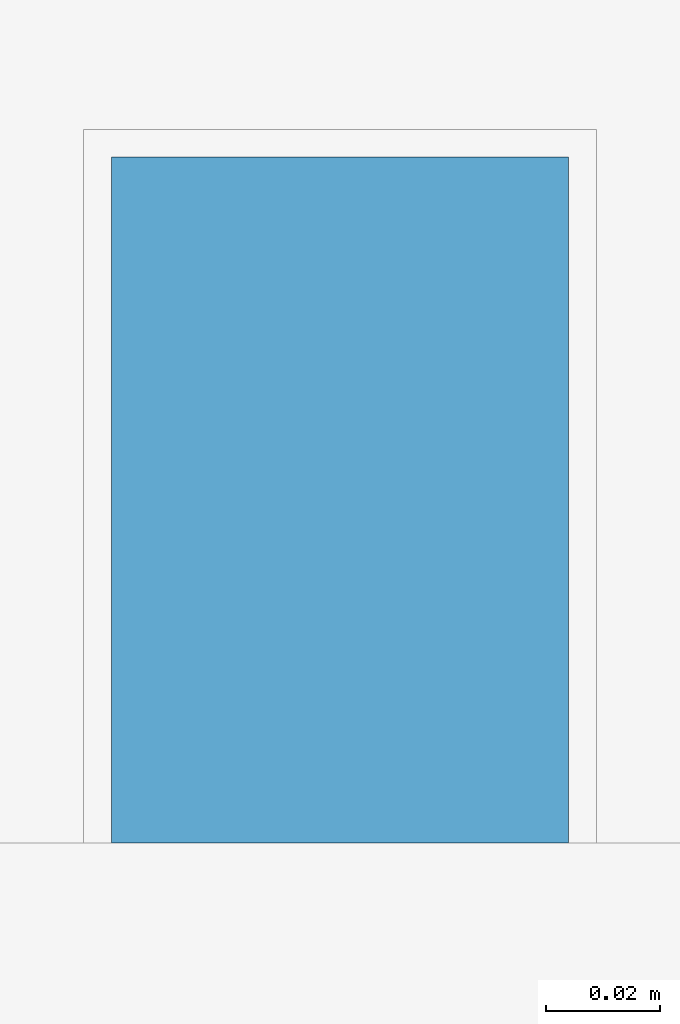
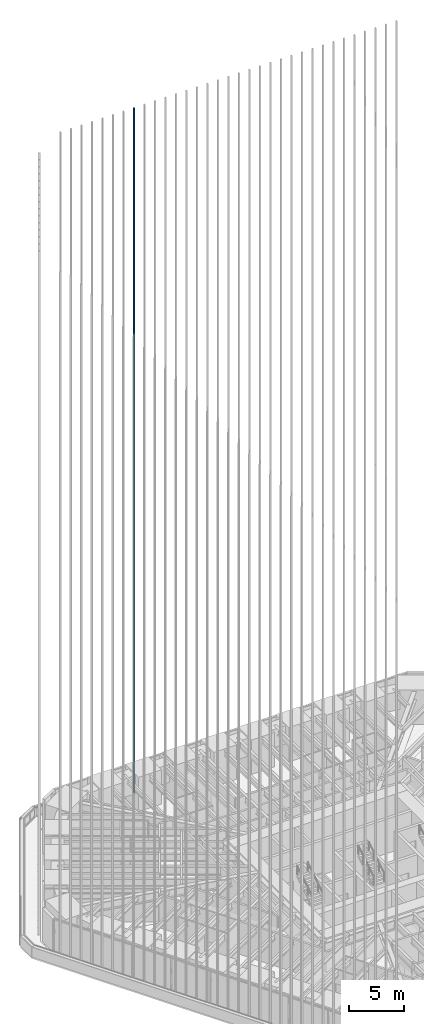
# One storey, part 160 of 238: 1 member, 1 element without a shape of its own.
"""IFC4 building model written with IfcOpenShell, lengths in metres."""

import ifcopenshell
import ifcopenshell.guid

model = None  # the IFC model being written
_history = None  # IfcOwnerHistory: only IFC2X3 demands one
_inside = {}  # id of a spatial element -> (the spatial element, [elements in it])
_under = {}  # id of a project, library or spatial element -> (it, [spatial elements below it])
_declared = {}  # id of a project -> (the project, [libraries it declares])
_typed = {}  # id of a type object -> (the type object, [elements of that type])
_made_of = {}  # id of a material, layer set ... -> (it, [elements and type objects made of it])


def new_model(schema):
    """Start an empty IFC model of exactly this schema.

    Asked for "IFC4X3", IfcOpenShell would pick the latest addendum, in which some entities
    have other attributes; the version numbers below select the first issue.
    IFC2X3 requires an IfcOwnerHistory on every rooted entity: one is made here for all.
    """
    global model, _history
    if schema == "IFC4X3":
        model = ifcopenshell.file(schema_version=(4, 3, 0, 0))
    else:
        model = ifcopenshell.file(schema=schema)
    _inside.clear()
    _under.clear()
    _declared.clear()
    _typed.clear()
    _made_of.clear()
    _history = None
    if model.schema == "IFC2X3":
        org = make("IfcOrganization", Name="unknown")
        user = make(
            "IfcPersonAndOrganization",
            ThePerson=make("IfcPerson", FamilyName="unknown"),
            TheOrganization=org,
        )
        app = make(
            "IfcApplication",
            ApplicationDeveloper=org,
            Version="unknown",
            ApplicationFullName="unknown",
            ApplicationIdentifier="unknown",
        )
        _history = make(
            "IfcOwnerHistory",
            OwningUser=user,
            OwningApplication=app,
            ChangeAction="ADDED",
            CreationDate=0,
        )
    return model


def make(cls, **values):
    """One entity of the class cls with the attributes given. An attribute that is None is left unset."""
    return model.create_entity(
        cls, **{name: value for name, value in values.items() if value is not None}
    )


def rooted(cls, **values):
    """An entity with a GlobalId (a new one), such as an element, a storey or a relation."""
    return make(cls, GlobalId=ifcopenshell.guid.new(), OwnerHistory=_history, **values)


def si_unit(unit_type, name, prefix=None):
    """IfcSIUnit, for example si_unit("LENGTHUNIT", "METRE", prefix="MILLI")."""
    return make("IfcSIUnit", UnitType=unit_type, Prefix=prefix, Name=name)


def assignment(units):
    """IfcUnitAssignment: the units of a project."""
    return None if units is None else make("IfcUnitAssignment", Units=units)


def point(xyz):
    """IfcCartesianPoint."""
    return None if xyz is None else make("IfcCartesianPoint", Coordinates=xyz)


def direction(xyz):
    """IfcDirection."""
    return None if xyz is None else make("IfcDirection", DirectionRatios=xyz)


def frame(location, z_axis=None, x_axis=None):
    """IfcAxis2Placement3D, a coordinate frame: its origin and axes. An axis left out is left unset."""
    return make(
        "IfcAxis2Placement3D",
        Location=point(location),
        Axis=direction(z_axis),
        RefDirection=direction(x_axis),
    )


def frame_2d(location, x_axis=None):
    """IfcAxis2Placement2D, a coordinate frame in the plane: its origin and x axis."""
    return make(
        "IfcAxis2Placement2D", Location=point(location), RefDirection=direction(x_axis)
    )


def origin():
    """The frame at (0, 0, 0) with its axes left unset."""
    return frame((0.0, 0.0, 0.0))


def origin_2d():
    """The frame at (0, 0) in the plane with its x axis left unset."""
    return frame_2d((0.0, 0.0))


def place(relative_to, where):
    """IfcLocalPlacement: puts the frame where relative to a parent placement (None: the world)."""
    return make(
        "IfcLocalPlacement", PlacementRelTo=relative_to, RelativePlacement=where
    )


def context(
    kind, dimensions, precision=None, world=None, true_north=None, identifier=None
):
    """IfcGeometricRepresentationContext, for example the 3D "Model" context."""
    return make(
        "IfcGeometricRepresentationContext",
        ContextIdentifier=identifier,
        ContextType=kind,
        CoordinateSpaceDimension=dimensions,
        Precision=precision,
        WorldCoordinateSystem=world,
        TrueNorth=true_north,
    )


def subcontext(parent, identifier, kind, view, scale=None):
    """IfcGeometricRepresentationSubContext, for example "Body" below "Model"."""
    return make(
        "IfcGeometricRepresentationSubContext",
        ContextIdentifier=identifier,
        ContextType=kind,
        ParentContext=parent,
        TargetScale=scale,
        TargetView=view,
    )


def project(units=None, contexts=None):
    """IfcProject with its units and contexts."""
    return rooted(
        "IfcProject",
        Name="project",
        RepresentationContexts=contexts,
        UnitsInContext=assignment(units),
    )


def spatial(cls, under=None, at=None, **own):
    """A site, building, storey or space (cls), placed at a placement, below another one or the project."""
    s = rooted(cls, ObjectPlacement=at, **own)
    if under is not None:
        _under.setdefault(under.id(), (under, []))[1].append(s)
    return s


def profile(cls, at=None, kind="AREA", **sizes):
    """A parametric profile (cls). Its sizes go by their IFC names, for example OverallWidth=200.0."""
    return make(cls, ProfileType=kind, Position=at, **sizes)


def rectangle(**sizes):
    """IfcRectangleProfileDef."""
    return profile("IfcRectangleProfileDef", **sizes)


def extrude(swept, where, along, depth):
    """IfcExtrudedAreaSolid: the profile swept, set in the frame where, extruded along a direction by depth."""
    return make(
        "IfcExtrudedAreaSolid",
        SweptArea=swept,
        Position=where,
        ExtrudedDirection=direction(along),
        Depth=depth,
    )


def shape(context_of_items, identifier, shape_type, items):
    """IfcShapeRepresentation: the items that make up one representation, for example the "Body"."""
    return make(
        "IfcShapeRepresentation",
        ContextOfItems=context_of_items,
        RepresentationIdentifier=identifier,
        RepresentationType=shape_type,
        Items=items,
    )


def material(Name=None, Category=None):
    """IfcMaterial."""
    return make("IfcMaterial", Name=Name, Category=Category)


def material_profile(
    of_material, cross_section, Name=None, Category=None, Priority=None
):
    """IfcMaterialProfile: a cross section and its material."""
    return make(
        "IfcMaterialProfile",
        Name=Name,
        Material=of_material,
        Profile=cross_section,
        Priority=Priority,
        Category=Category,
    )


def profile_set(profiles, Name=None, composite=None):
    """IfcMaterialProfileSet."""
    return make(
        "IfcMaterialProfileSet",
        Name=Name,
        MaterialProfiles=profiles,
        CompositeProfile=composite,
    )


def made_of(thing, what):
    """Note that an element or type object is made of a material, layer set ...; save() writes the relation."""
    if what is not None:
        _made_of.setdefault(what.id(), (what, []))[1].append(thing)
    return thing


def type_object(cls, material=None, **own):
    """A type object (cls), such as IfcWallType, which elements share."""
    return made_of(rooted(cls, **own), material)


def element(
    cls,
    number,
    at=None,
    inside=None,
    cuts=None,
    type_object=None,
    material=None,
    context=None,
    identifier="Body",
    shape_type=None,
    held_by="IfcProductDefinitionShape",
    body=None,
    shapes=None,
    **own,
):
    """One element of the class cls, such as IfcWall. Its Tag is "e" and its number.

    at: its placement. inside: the storey or other place that contains it. cuts: it is an
    opening in that element (IfcRelVoidsElement). A single representation is given by context,
    identifier, shape_type and body (its items); several are given by shapes. held_by: the class
    of the entity that holds the representations. save() writes the other relations.
    """
    e = rooted(cls, Tag="e%d" % number, ObjectPlacement=at, **own)
    if body is not None:
        shapes = [shape(context, identifier, shape_type, body)]
    if shapes is not None:
        e.Representation = make(held_by, Representations=shapes)
    if inside is not None:
        _inside.setdefault(inside.id(), (inside, []))[1].append(e)
    if cuts is not None:
        rooted(
            "IfcRelVoidsElement", RelatingBuildingElement=cuts, RelatedOpeningElement=e
        )
    if type_object is not None:
        _typed.setdefault(type_object.id(), (type_object, []))[1].append(e)
    return made_of(e, material)


def aggregate(whole, parts):
    """IfcRelAggregates: a whole, such as a stair, and the parts it consists of."""
    return rooted("IfcRelAggregates", RelatingObject=whole, RelatedObjects=parts)


def save(model, path):
    """Write the relations noted so far, then the file.

    IfcRelAggregates (storeys below a building ...), IfcRelContainedInSpatialStructure (elements
    in a storey), IfcRelDefinesByType, IfcRelAssociatesMaterial and IfcRelDeclares: one each for
    every whole, place, type object, material and project.
    """
    for whole, parts in _under.values():
        aggregate(whole, parts)
    for where, things in _inside.values():
        rooted(
            "IfcRelContainedInSpatialStructure",
            RelatedElements=things,
            RelatingStructure=where,
        )
    for kind, things in _typed.values():
        rooted("IfcRelDefinesByType", RelatedObjects=things, RelatingType=kind)
    for what, things in _made_of.values():
        rooted("IfcRelAssociatesMaterial", RelatedObjects=things, RelatingMaterial=what)
    for by, libraries in _declared.values():
        rooted("IfcRelDeclares", RelatingContext=by, RelatedDefinitions=libraries)
    model.write(path)


model = new_model("IFC4")

# Units and contexts
model_context = context("Model", 3, precision=1e-05, world=origin(), true_north=direction((0.0, 1.0)))
body_context = subcontext(model_context, "Body", "Model", "MODEL_VIEW")
ifc_project = project(units=[si_unit("LENGTHUNIT", "METRE"), si_unit("AREAUNIT", "SQUARE_METRE"), si_unit("VOLUMEUNIT", "CUBIC_METRE"), si_unit("PLANEANGLEUNIT", "RADIAN"), si_unit("MASSUNIT", "GRAM", prefix="KILO")], contexts=[model_context])

# Site, building, storey
site_placement = place(None, origin())
site = spatial("IfcSite", under=ifc_project, at=site_placement, CompositionType="ELEMENT")
building_placement = place(site_placement, origin())
building = spatial("IfcBuilding", under=site, at=building_placement, Name="Sandreach Pilgrim Tower", CompositionType="ELEMENT")
storey_placement = place(building_placement, frame((0.0, 0.0, 96.800048828125)))
storey = spatial("IfcBuildingStorey", under=building, at=storey_placement, Name="L23", CompositionType="ELEMENT", Elevation=96.800048828125)

# Curtain wall, member
ifc_material_1 = material(Name="Aluminium framed curtain wall", Category="aluminium")
curtain_wall_type = type_object("IfcCurtainWallType", Name="Hotel tower curtain wall", PredefinedType="NOTDEFINED", material=ifc_material_1)
curtain_wall_placement = place(storey_placement, origin())
curtain_wall = element("IfcCurtainWall", 1, at=curtain_wall_placement, inside=storey, type_object=curtain_wall_type, Name="CW-2 L23 N", PredefinedType="NOTDEFINED")
ifc_material_2 = material(Name="Extruded terracotta on aluminium core", Category="masonry")
ifc_material_profile = material_profile(ifc_material_2, rectangle(XDim=0.080078125, YDim=0.1201171875, at=origin_2d()), Name="TBN 80X120")
ifc_profile_set = profile_set([ifc_material_profile], Name="Extruded terracotta on aluminium core")
member_type = type_object("IfcMemberType", Name="Terracotta baguette north", PredefinedType="USERDEFINED", material=ifc_profile_set)
member_placement = place(storey_placement, frame((-9.894287109375, 22.853759765625, 0.0), z_axis=(0.0, 0.0, 1.0), x_axis=(1.0, 0.0, 0.0)))
member = element("IfcMember", 2, at=member_placement, type_object=member_type, Name="Baguette Z2 N08", ObjectType="BAGUETTE", PredefinedType="USERDEFINED", context=body_context, shape_type="SweptSolid", body=[
    extrude(rectangle(XDim=0.080078125, YDim=0.1201171875, at=origin_2d()), origin(), (0.0, 0.0, 1.0), 75.83984375),
])
aggregate(curtain_wall, [member])

save(model, "model.ifc")
